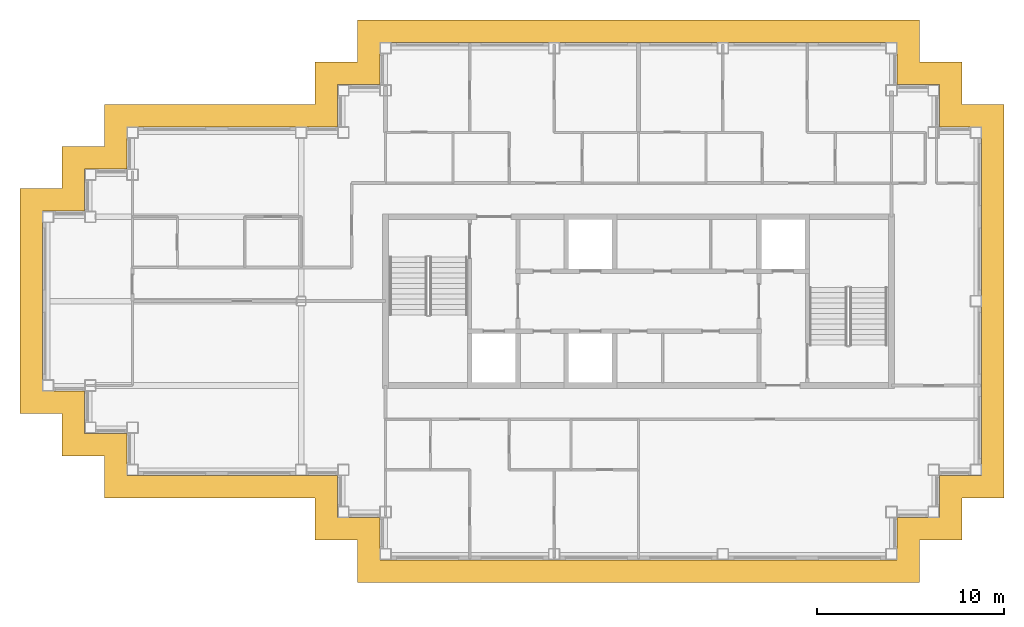
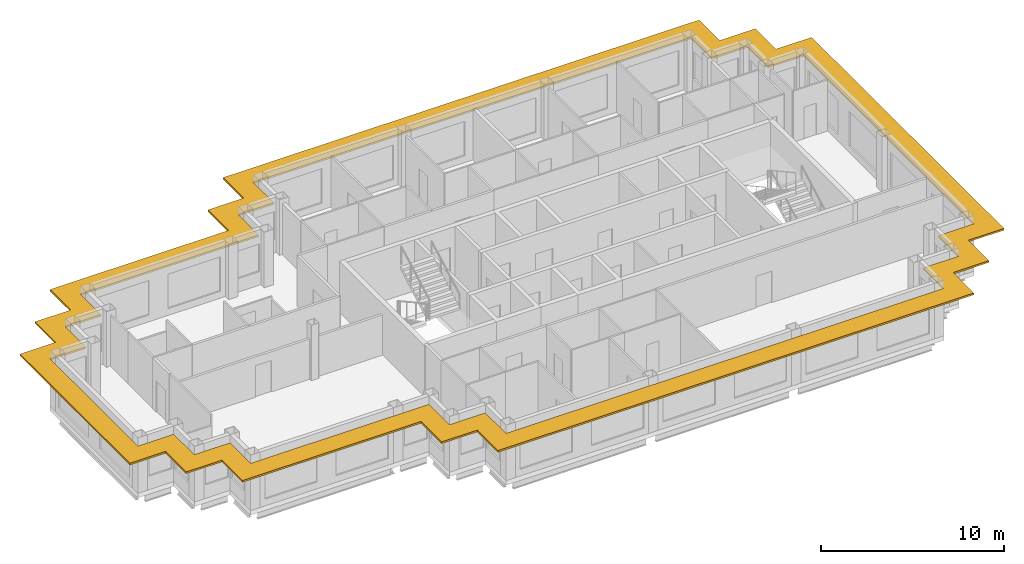
# One storey, part 11 of 12: 1 shading device.
"""IFC4 building model written with IfcOpenShell, lengths in metres."""

from ifc_helpers import new_model, si_unit, direction, frame, origin, place, context, subcontext, project, spatial, polyline, outline, extrude, material, layer, layer_set, type_object, element, save


model = new_model("IFC4")

# Units and contexts
model_context = context("Model", 3, precision=1e-05, world=origin(), true_north=direction((0.0, 1.0)))
body_context = subcontext(model_context, "Body", "Model", "MODEL_VIEW")
ifc_project = project(units=[si_unit("LENGTHUNIT", "METRE"), si_unit("AREAUNIT", "SQUARE_METRE"), si_unit("VOLUMEUNIT", "CUBIC_METRE"), si_unit("PLANEANGLEUNIT", "RADIAN"), si_unit("MASSUNIT", "GRAM", prefix="KILO")], contexts=[model_context])

# Site, building, storey
site_placement = place(None, origin())
site = spatial("IfcSite", under=ifc_project, at=site_placement, CompositionType="ELEMENT")
building_placement = place(site_placement, origin())
building = spatial("IfcBuilding", under=site, at=building_placement, Name="Caravel Reach Hotel and Residences", CompositionType="ELEMENT")
storey_placement = place(building_placement, frame((0.0, 0.0, 241.60009765625)))
storey = spatial("IfcBuildingStorey", under=building, at=storey_placement, Name="L61", CompositionType="ELEMENT", Elevation=241.60009765625)

# Shading device
ifc_material = material(Name="Black powder-coated aluminium", Category="aluminium")
ifc_layer = layer(ifc_material, 0.1201171875)
ifc_layer_set = layer_set([ifc_layer], Name="SS1 Sunshade band 1200")
shading_device_type = type_object("IfcShadingDeviceType", Name="SS1 Sunshade band 1200", PredefinedType="USERDEFINED", material=ifc_layer_set)
shading_device_placement = place(storey_placement, frame((0.0, 0.0, 3.039794921875)))
element("IfcShadingDevice", 1, at=shading_device_placement, inside=storey, type_object=shading_device_type, Name="Sunshade L61 1", ObjectType="SUNSHADE", PredefinedType="USERDEFINED", context=body_context, shape_type="SweptSolid", body=[
    extrude(outline(polyline([(3.0, 16.5), (14.25, 16.5), (14.25, 14.25), (16.5, 14.25), (16.5, 12.0), (46.5, 12.0), (46.5, 14.25), (48.75, 14.25), (48.75, 16.5), (51.0, 16.5), (51.0, 37.5), (48.75, 37.5), (48.75, 39.75), (46.5, 39.75), (46.5, 42.0), (16.5, 42.0), (16.5, 39.75), (14.25, 39.75), (14.25, 37.5), (3.0, 37.5), (3.0, 35.25), (0.75, 35.25), (0.75, 33.0), (-1.5, 33.0), (-1.5, 21.0), (0.75, 21.0), (0.75, 18.75), (3.0, 18.75), (3.0, 16.5)]), holes=[polyline([(15.449951171875, 15.449951171875), (15.449951171875, 17.699951171875), (4.199951171875, 17.699951171875), (4.199951171875, 19.949951171875), (1.949951171875, 19.949951171875), (1.949951171875, 22.199951171875), (-0.300048828125, 22.199951171875), (-0.300048828125, 31.800048828125), (1.949951171875, 31.800048828125), (1.949951171875, 34.050048828125), (4.199951171875, 34.050048828125), (4.199951171875, 36.300048828125), (15.449951171875, 36.300048828125), (15.449951171875, 38.550048828125), (17.699951171875, 38.550048828125), (17.699951171875, 40.800048828125), (45.300048828125, 40.800048828125), (45.300048828125, 38.550048828125), (47.550048828125, 38.550048828125), (47.550048828125, 36.300048828125), (49.800048828125, 36.300048828125), (49.800048828125, 17.699951171875), (47.550048828125, 17.699951171875), (47.550048828125, 15.449951171875), (45.300048828125, 15.449951171875), (45.300048828125, 13.199951171875), (17.699951171875, 13.199951171875), (17.699951171875, 15.449951171875), (15.449951171875, 15.449951171875)])]), origin(), (0.0, 0.0, 1.0), 0.1201171875),
])

save(model, "model.ifc")
